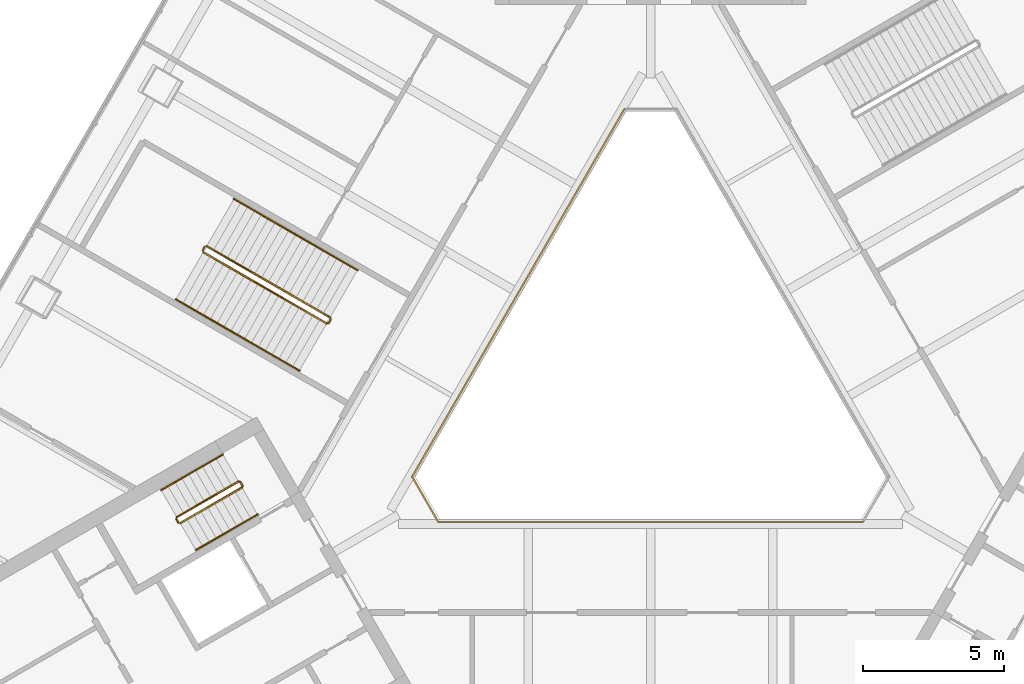
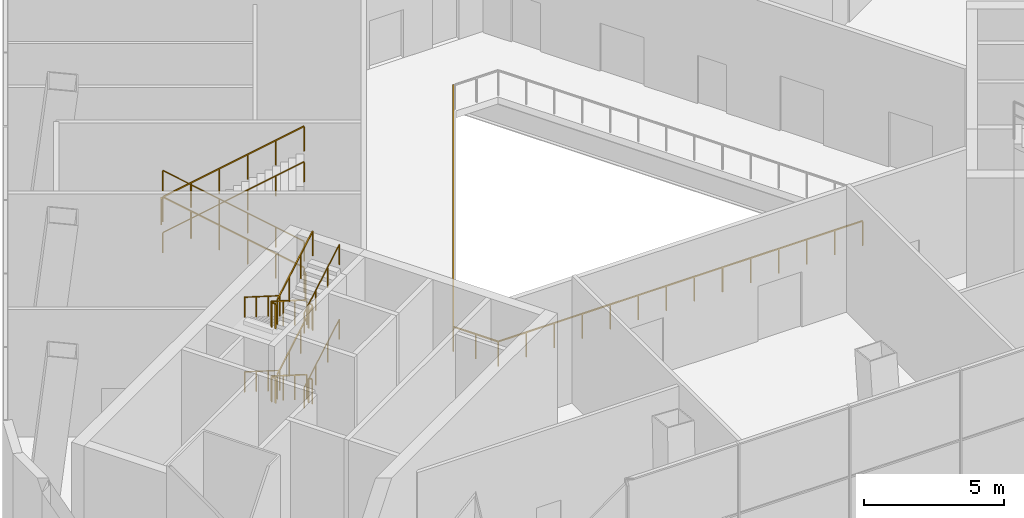
# One storey, part 15 of 17: 19 railings.
"""IFC4 building model written with IfcOpenShell, lengths in metres."""

from ifc_helpers import new_model, si_unit, direction, frame, origin, origin_2d, place, context, subcontext, project, spatial, rectangle, circle, extrude, material, type_object, element, save


model = new_model("IFC4")

# Units and contexts
model_context = context("Model", 3, precision=1e-05, world=origin(), true_north=direction((0.0, 1.0)))
body_context = subcontext(model_context, "Body", "Model", "MODEL_VIEW")
ifc_project = project(units=[si_unit("LENGTHUNIT", "METRE"), si_unit("AREAUNIT", "SQUARE_METRE"), si_unit("VOLUMEUNIT", "CUBIC_METRE"), si_unit("PLANEANGLEUNIT", "RADIAN"), si_unit("MASSUNIT", "GRAM", prefix="KILO")], contexts=[model_context])

# Site, building, storey
site_placement = place(None, origin())
site = spatial("IfcSite", under=ifc_project, at=site_placement, CompositionType="ELEMENT")
building_placement = place(site_placement, origin())
building = spatial("IfcBuilding", under=site, at=building_placement, Name="Apuvela Tower Hotel", CompositionType="ELEMENT")
storey_placement = place(building_placement, frame((0.0, 0.0, 9.0)))
storey = spatial("IfcBuildingStorey", under=building, at=storey_placement, Name="L01", CompositionType="ELEMENT", Elevation=9.0)

# Railings
ifc_material_1 = material(Name="Steel S275 balustrade", Category="steel")
railing_type_1 = type_object("IfcRailingType", Name="COR-GUARD-1100", PredefinedType="GUARDRAIL", material=ifc_material_1)
railing_1_placement = place(storey_placement, frame((-14.569091796875, -3.9658203125, 0.16259765625)))
element("IfcRailing", 1, at=railing_1_placement, inside=storey, type_object=railing_type_1, Name="L01 ST2 stair guard 1", PredefinedType="GUARDRAIL", context=body_context, shape_type="SweptSolid", body=[
    extrude(rectangle(XDim=0.048095703125, YDim=0.048095703125, at=origin_2d()), frame((0.0, 0.0, 1.076171875), z_axis=(-0.749032721991, -0.432459769347, 0.501924824334), x_axis=(0.500004791531, -0.866022637375, 0.0)), (0.0, 0.0, 1.0), 2.91357421875),
    extrude(rectangle(XDim=0.0419921875, YDim=0.0419921875, at=origin_2d()), origin(), (0.0, 0.0, 1.0), 1.052001953125),
    extrude(rectangle(XDim=0.0419921875, YDim=0.0419921875, at=origin_2d()), frame((-0.7275390625, -0.419921875, 0.487548828125)), (0.0, 0.0, 1.0), 1.052001953125),
    extrude(rectangle(XDim=0.0419921875, YDim=0.0419921875, at=origin_2d()), frame((-1.454833984375, -0.840087890625, 0.974853515625)), (0.0, 0.0, 1.0), 1.052001953125),
    extrude(rectangle(XDim=0.0419921875, YDim=0.0419921875, at=origin_2d()), frame((-2.182373046875, -1.260009765625, 1.46240234375)), (0.0, 0.0, 1.0), 1.052001953125),
])
railing_2_placement = place(storey_placement, frame((-16.769775390625, -5.294189453125, 1.625)))
element("IfcRailing", 2, at=railing_2_placement, inside=storey, type_object=railing_type_1, Name="L01 ST2 stair guard 2", PredefinedType="GUARDRAIL", context=body_context, shape_type="SweptSolid", body=[
    extrude(rectangle(XDim=0.048095703125, YDim=0.048095703125, at=origin_2d()), frame((0.0, 0.0, 1.076171875), z_axis=(0.501036270542, -0.865426285481, 0.0), x_axis=(0.865426285481, 0.501036270542, 0.0)), (0.0, 0.0, 1.0), 0.150146484375),
    extrude(rectangle(XDim=0.0419921875, YDim=0.0419921875, at=origin_2d()), origin(), (0.0, 0.0, 1.0), 1.052001953125),
    extrude(rectangle(XDim=0.0419921875, YDim=0.0419921875, at=origin_2d()), frame((0.0751953125, -0.1298828125, 0.0)), (0.0, 0.0, 1.0), 1.052001953125),
])
railing_3_placement = place(storey_placement, frame((-16.62646484375, -5.4423828125, 1.78759765625)))
element("IfcRailing", 3, at=railing_3_placement, inside=storey, type_object=railing_type_1, Name="L01 ST2 stair guard 3", PredefinedType="GUARDRAIL", context=body_context, shape_type="SweptSolid", body=[
    extrude(rectangle(XDim=0.048095703125, YDim=0.048095703125, at=origin_2d()), frame((0.0, 0.0, 1.076171875), z_axis=(0.749032721991, 0.432459769347, 0.501924824334), x_axis=(-0.500004791531, 0.866022637375, 0.0)), (0.0, 0.0, 1.0), 2.91357421875),
    extrude(rectangle(XDim=0.0419921875, YDim=0.0419921875, at=origin_2d()), origin(), (0.0, 0.0, 1.0), 1.052001953125),
    extrude(rectangle(XDim=0.0419921875, YDim=0.0419921875, at=origin_2d()), frame((0.7275390625, 0.419921875, 0.487548828125)), (0.0, 0.0, 1.0), 1.052001953125),
    extrude(rectangle(XDim=0.0419921875, YDim=0.0419921875, at=origin_2d()), frame((1.454833984375, 0.840087890625, 0.974853515625)), (0.0, 0.0, 1.0), 1.052001953125),
    extrude(rectangle(XDim=0.0419921875, YDim=0.0419921875, at=origin_2d()), frame((2.182373046875, 1.260009765625, 1.46240234375)), (0.0, 0.0, 1.0), 1.052001953125),
])
railing_4_placement = place(storey_placement, frame((-14.500732421875, -3.984130859375, 3.25)))
element("IfcRailing", 4, at=railing_4_placement, inside=storey, type_object=railing_type_1, Name="L01 ST2 stair guard 4", PredefinedType="GUARDRAIL", context=body_context, shape_type="SweptSolid", body=[
    extrude(rectangle(XDim=0.048095703125, YDim=0.048095703125, at=origin_2d()), frame((0.0, 0.0, 1.076171875), z_axis=(0.499816412211, -0.866131372301, 0.0), x_axis=(0.866131372301, 0.499816412211, 0.0)), (0.0, 0.0, 1.0), 0.14990234375),
    extrude(rectangle(XDim=0.0419921875, YDim=0.0419921875, at=origin_2d()), origin(), (0.0, 0.0, 1.0), 1.052001953125),
    extrude(rectangle(XDim=0.0419921875, YDim=0.0419921875, at=origin_2d()), frame((0.074951171875, -0.1298828125, 0.0)), (0.0, 0.0, 1.0), 1.052001953125),
])
railing_5_placement = place(storey_placement, frame((-14.569091796875, -3.9658203125, 3.41259765625)))
element("IfcRailing", 5, at=railing_5_placement, inside=storey, type_object=railing_type_1, Name="L01 ST2 stair guard 5", PredefinedType="GUARDRAIL", context=body_context, shape_type="SweptSolid", body=[
    extrude(rectangle(XDim=0.048095703125, YDim=0.048095703125, at=origin_2d()), frame((0.0, 0.0, 1.076171875), z_axis=(-0.749032721991, -0.432459769347, 0.501924824334), x_axis=(0.500004791531, -0.866022637375, 0.0)), (0.0, 0.0, 1.0), 2.91357421875),
    extrude(rectangle(XDim=0.0419921875, YDim=0.0419921875, at=origin_2d()), origin(), (0.0, 0.0, 1.0), 1.052001953125),
    extrude(rectangle(XDim=0.0419921875, YDim=0.0419921875, at=origin_2d()), frame((-0.7275390625, -0.419921875, 0.487548828125)), (0.0, 0.0, 1.0), 1.052001953125),
    extrude(rectangle(XDim=0.0419921875, YDim=0.0419921875, at=origin_2d()), frame((-1.454833984375, -0.840087890625, 0.974853515625)), (0.0, 0.0, 1.0), 1.052001953125),
    extrude(rectangle(XDim=0.0419921875, YDim=0.0419921875, at=origin_2d()), frame((-2.182373046875, -1.260009765625, 1.46240234375)), (0.0, 0.0, 1.0), 1.052001953125),
])
railing_6_placement = place(storey_placement, frame((-16.769775390625, -5.294189453125, 4.875)))
element("IfcRailing", 6, at=railing_6_placement, inside=storey, type_object=railing_type_1, Name="L01 ST2 stair guard 6", PredefinedType="GUARDRAIL", context=body_context, shape_type="SweptSolid", body=[
    extrude(rectangle(XDim=0.048095703125, YDim=0.048095703125, at=origin_2d()), frame((0.0, 0.0, 1.076171875), z_axis=(0.501036270542, -0.865426285481, 0.0), x_axis=(0.865426285481, 0.501036270542, 0.0)), (0.0, 0.0, 1.0), 0.150146484375),
    extrude(rectangle(XDim=0.0419921875, YDim=0.0419921875, at=origin_2d()), origin(), (0.0, 0.0, 1.0), 1.052001953125),
    extrude(rectangle(XDim=0.0419921875, YDim=0.0419921875, at=origin_2d()), frame((0.0751953125, -0.1298828125, 0.0)), (0.0, 0.0, 1.0), 1.052001953125),
])
railing_7_placement = place(storey_placement, frame((-16.62646484375, -5.4423828125, 5.03759765625)))
element("IfcRailing", 7, at=railing_7_placement, inside=storey, type_object=railing_type_1, Name="L01 ST2 stair guard 7", PredefinedType="GUARDRAIL", context=body_context, shape_type="SweptSolid", body=[
    extrude(rectangle(XDim=0.048095703125, YDim=0.048095703125, at=origin_2d()), frame((0.0, 0.0, 1.076171875), z_axis=(0.749032721991, 0.432459769347, 0.501924824334), x_axis=(-0.500004791531, 0.866022637375, 0.0)), (0.0, 0.0, 1.0), 2.91357421875),
    extrude(rectangle(XDim=0.0419921875, YDim=0.0419921875, at=origin_2d()), origin(), (0.0, 0.0, 1.0), 1.052001953125),
    extrude(rectangle(XDim=0.0419921875, YDim=0.0419921875, at=origin_2d()), frame((0.7275390625, 0.419921875, 0.487548828125)), (0.0, 0.0, 1.0), 1.052001953125),
    extrude(rectangle(XDim=0.0419921875, YDim=0.0419921875, at=origin_2d()), frame((1.454833984375, 0.840087890625, 0.974853515625)), (0.0, 0.0, 1.0), 1.052001953125),
    extrude(rectangle(XDim=0.0419921875, YDim=0.0419921875, at=origin_2d()), frame((2.182373046875, 1.260009765625, 1.46240234375)), (0.0, 0.0, 1.0), 1.052001953125),
])
railing_8_placement = place(storey_placement, frame((-14.500732421875, -3.984130859375, 0.0)))
element("IfcRailing", 8, at=railing_8_placement, inside=storey, type_object=railing_type_1, Name="L01 ST2 stair guard 8", PredefinedType="GUARDRAIL", context=body_context, shape_type="SweptSolid", body=[
    extrude(rectangle(XDim=0.048095703125, YDim=0.048095703125, at=origin_2d()), frame((0.0, 0.0, 1.076171875), z_axis=(0.499816412211, -0.866131372301, 0.0), x_axis=(0.866131372301, 0.499816412211, 0.0)), (0.0, 0.0, 1.0), 0.14990234375),
    extrude(rectangle(XDim=0.0419921875, YDim=0.0419921875, at=origin_2d()), origin(), (0.0, 0.0, 1.0), 1.052001953125),
    extrude(rectangle(XDim=0.0419921875, YDim=0.0419921875, at=origin_2d()), frame((0.074951171875, -0.1298828125, 0.0)), (0.0, 0.0, 1.0), 1.052001953125),
])
ifc_material_2 = material(Name="Stainless steel 316 handrail", Category="steel")
railing_type_2 = type_object("IfcRailingType", Name="COR-HANDRAIL-900", PredefinedType="HANDRAIL", material=ifc_material_2)
railing_9_placement = place(storey_placement, frame((-15.118896484375, -3.01318359375, 0.16259765625)))
element("IfcRailing", 9, at=railing_9_placement, inside=storey, type_object=railing_type_2, Name="L01 ST2 stair handrail 1", PredefinedType="HANDRAIL", context=body_context, shape_type="SweptSolid", body=[
    extrude(circle(Radius=0.02392578125, at=origin_2d()), frame((0.0, 0.0, 0.8759765625), z_axis=(-0.749032721991, -0.432459769347, 0.501924824334), x_axis=(0.500004791531, -0.866022637375, 0.0)), (0.0, 0.0, 1.0), 2.91357421875),
    extrude(rectangle(XDim=0.0419921875, YDim=0.0419921875, at=origin_2d()), origin(), (0.0, 0.0, 1.0), 0.851806640625),
    extrude(rectangle(XDim=0.0419921875, YDim=0.0419921875, at=origin_2d()), frame((-0.7275390625, -0.419921875, 0.487548828125)), (0.0, 0.0, 1.0), 0.851806640625),
    extrude(rectangle(XDim=0.0419921875, YDim=0.0419921875, at=origin_2d()), frame((-1.454833984375, -0.840087890625, 0.974853515625)), (0.0, 0.0, 1.0), 0.851806640625),
    extrude(rectangle(XDim=0.0419921875, YDim=0.0419921875, at=origin_2d()), frame((-2.182373046875, -1.260009765625, 1.46240234375)), (0.0, 0.0, 1.0), 0.851806640625),
])
railing_10_placement = place(storey_placement, frame((-16.076416015625, -6.39501953125, 1.78759765625)))
element("IfcRailing", 10, at=railing_10_placement, inside=storey, type_object=railing_type_2, Name="L01 ST2 stair handrail 2", PredefinedType="HANDRAIL", context=body_context, shape_type="SweptSolid", body=[
    extrude(circle(Radius=0.02392578125, at=origin_2d()), frame((0.0, 0.0, 0.8759765625), z_axis=(0.749032721991, 0.432459769347, 0.501924824334), x_axis=(-0.500004791531, 0.866022637375, 0.0)), (0.0, 0.0, 1.0), 2.91357421875),
    extrude(rectangle(XDim=0.0419921875, YDim=0.0419921875, at=origin_2d()), origin(), (0.0, 0.0, 1.0), 0.851806640625),
    extrude(rectangle(XDim=0.0419921875, YDim=0.0419921875, at=origin_2d()), frame((0.7275390625, 0.419921875, 0.487548828125)), (0.0, 0.0, 1.0), 0.851806640625),
    extrude(rectangle(XDim=0.0419921875, YDim=0.0419921875, at=origin_2d()), frame((1.454833984375, 0.840087890625, 0.974853515625)), (0.0, 0.0, 1.0), 0.851806640625),
    extrude(rectangle(XDim=0.0419921875, YDim=0.0419921875, at=origin_2d()), frame((2.182373046875, 1.260009765625, 1.46240234375)), (0.0, 0.0, 1.0), 0.851806640625),
])
railing_11_placement = place(storey_placement, frame((-15.118896484375, -3.01318359375, 3.41259765625)))
element("IfcRailing", 11, at=railing_11_placement, inside=storey, type_object=railing_type_2, Name="L01 ST2 stair handrail 3", PredefinedType="HANDRAIL", context=body_context, shape_type="SweptSolid", body=[
    extrude(circle(Radius=0.02392578125, at=origin_2d()), frame((0.0, 0.0, 0.8759765625), z_axis=(-0.749032721991, -0.432459769347, 0.501924824334), x_axis=(0.500004791531, -0.866022637375, 0.0)), (0.0, 0.0, 1.0), 2.91357421875),
    extrude(rectangle(XDim=0.0419921875, YDim=0.0419921875, at=origin_2d()), origin(), (0.0, 0.0, 1.0), 0.851806640625),
    extrude(rectangle(XDim=0.0419921875, YDim=0.0419921875, at=origin_2d()), frame((-0.7275390625, -0.419921875, 0.487548828125)), (0.0, 0.0, 1.0), 0.851806640625),
    extrude(rectangle(XDim=0.0419921875, YDim=0.0419921875, at=origin_2d()), frame((-1.454833984375, -0.840087890625, 0.974853515625)), (0.0, 0.0, 1.0), 0.851806640625),
    extrude(rectangle(XDim=0.0419921875, YDim=0.0419921875, at=origin_2d()), frame((-2.182373046875, -1.260009765625, 1.46240234375)), (0.0, 0.0, 1.0), 0.851806640625),
])
railing_12_placement = place(storey_placement, frame((-16.076416015625, -6.39501953125, 5.03759765625)))
element("IfcRailing", 12, at=railing_12_placement, inside=storey, type_object=railing_type_2, Name="L01 ST2 stair handrail 4", PredefinedType="HANDRAIL", context=body_context, shape_type="SweptSolid", body=[
    extrude(circle(Radius=0.02392578125, at=origin_2d()), frame((0.0, 0.0, 0.8759765625), z_axis=(0.749032721991, 0.432459769347, 0.501924824334), x_axis=(-0.500004791531, 0.866022637375, 0.0)), (0.0, 0.0, 1.0), 2.91357421875),
    extrude(rectangle(XDim=0.0419921875, YDim=0.0419921875, at=origin_2d()), origin(), (0.0, 0.0, 1.0), 0.851806640625),
    extrude(rectangle(XDim=0.0419921875, YDim=0.0419921875, at=origin_2d()), frame((0.7275390625, 0.419921875, 0.487548828125)), (0.0, 0.0, 1.0), 0.851806640625),
    extrude(rectangle(XDim=0.0419921875, YDim=0.0419921875, at=origin_2d()), frame((1.454833984375, 0.840087890625, 0.974853515625)), (0.0, 0.0, 1.0), 0.851806640625),
    extrude(rectangle(XDim=0.0419921875, YDim=0.0419921875, at=origin_2d()), frame((2.182373046875, 1.260009765625, 1.46240234375)), (0.0, 0.0, 1.0), 0.851806640625),
])
ifc_material_3 = material(Name="Stainless steel 316 rail with laminated glass infill", Category="steel")
railing_type_3 = type_object("IfcRailingType", Name="ENV-GUARD-1100", PredefinedType="GUARDRAIL", material=ifc_material_3)
railing_13_placement = place(storey_placement, frame((-0.923828125, 9.199951171875, 0.0)))
element("IfcRailing", 13, at=railing_13_placement, inside=storey, type_object=railing_type_3, Name="Atrium void guard A L01", PredefinedType="GUARDRAIL", context=body_context, shape_type="SweptSolid", body=[
    extrude(rectangle(XDim=0.050048828125, YDim=0.050048828125, at=origin_2d()), frame((0.0, 0.0, 1.0751953125), z_axis=(-0.499990886379, -0.866030665472, 0.0), x_axis=(0.866030665472, -0.499990886379, 0.0)), (0.0, 0.0, 1.0), 15.010986328125),
    extrude(rectangle(XDim=0.050048828125, YDim=0.050048828125, at=origin_2d()), frame((-7.50537109375, -13.0, 1.0751953125), z_axis=(0.499962699187, -0.866046938348, 0.0), x_axis=(0.866046938348, 0.499962699187, 0.0)), (0.0, 0.0, 1.0), 1.847412109375),
    extrude(rectangle(XDim=0.050048828125, YDim=0.050048828125, at=origin_2d()), frame((-6.581787109375, -14.599853515625, 1.0751953125), z_axis=(1.0, 0.0, 0.0), x_axis=(0.0, 1.0, 0.0)), (0.0, 0.0, 1.0), 15.01123046875),
    extrude(rectangle(XDim=0.0400390625, YDim=0.0400390625, at=origin_2d()), origin(), (0.0, 0.0, 1.0), 1.050048828125),
    extrude(rectangle(XDim=0.0400390625, YDim=0.0400390625, at=origin_2d()), frame((-0.577392578125, -1.0, 0.0)), (0.0, 0.0, 1.0), 1.050048828125),
    extrude(rectangle(XDim=0.0400390625, YDim=0.0400390625, at=origin_2d()), frame((-1.15478515625, -2.0, 0.0)), (0.0, 0.0, 1.0), 1.050048828125),
    extrude(rectangle(XDim=0.0400390625, YDim=0.0400390625, at=origin_2d()), frame((-1.73193359375, -3.0, 0.0)), (0.0, 0.0, 1.0), 1.050048828125),
    extrude(rectangle(XDim=0.0400390625, YDim=0.0400390625, at=origin_2d()), frame((-2.309326171875, -4.0, 0.0)), (0.0, 0.0, 1.0), 1.050048828125),
    extrude(rectangle(XDim=0.0400390625, YDim=0.0400390625, at=origin_2d()), frame((-2.88671875, -5.0, 0.0)), (0.0, 0.0, 1.0), 1.050048828125),
    extrude(rectangle(XDim=0.0400390625, YDim=0.0400390625, at=origin_2d()), frame((-3.464111328125, -6.0, 0.0)), (0.0, 0.0, 1.0), 1.050048828125),
    extrude(rectangle(XDim=0.0400390625, YDim=0.0400390625, at=origin_2d()), frame((-4.041259765625, -7.0, 0.0)), (0.0, 0.0, 1.0), 1.050048828125),
    extrude(rectangle(XDim=0.0400390625, YDim=0.0400390625, at=origin_2d()), frame((-4.61865234375, -8.0, 0.0)), (0.0, 0.0, 1.0), 1.050048828125),
    extrude(rectangle(XDim=0.0400390625, YDim=0.0400390625, at=origin_2d()), frame((-5.196044921875, -9.0, 0.0)), (0.0, 0.0, 1.0), 1.050048828125),
    extrude(rectangle(XDim=0.0400390625, YDim=0.0400390625, at=origin_2d()), frame((-5.7734375, -10.0, 0.0)), (0.0, 0.0, 1.0), 1.050048828125),
    extrude(rectangle(XDim=0.0400390625, YDim=0.0400390625, at=origin_2d()), frame((-6.3505859375, -11.0, 0.0)), (0.0, 0.0, 1.0), 1.050048828125),
    extrude(rectangle(XDim=0.0400390625, YDim=0.0400390625, at=origin_2d()), frame((-6.927978515625, -12.0, 0.0)), (0.0, 0.0, 1.0), 1.050048828125),
    extrude(rectangle(XDim=0.0400390625, YDim=0.0400390625, at=origin_2d()), frame((-7.50537109375, -13.0, 0.0)), (0.0, 0.0, 1.0), 1.050048828125),
    extrude(rectangle(XDim=0.0400390625, YDim=0.0400390625, at=origin_2d()), frame((-7.04345703125, -13.7998046875, 0.0)), (0.0, 0.0, 1.0), 1.050048828125),
    extrude(rectangle(XDim=0.0400390625, YDim=0.0400390625, at=origin_2d()), frame((-6.581787109375, -14.599853515625, 0.0)), (0.0, 0.0, 1.0), 1.050048828125),
    extrude(rectangle(XDim=0.0400390625, YDim=0.0400390625, at=origin_2d()), frame((-5.427001953125, -14.599853515625, 0.0)), (0.0, 0.0, 1.0), 1.050048828125),
    extrude(rectangle(XDim=0.0400390625, YDim=0.0400390625, at=origin_2d()), frame((-4.2724609375, -14.599853515625, 0.0)), (0.0, 0.0, 1.0), 1.050048828125),
    extrude(rectangle(XDim=0.0400390625, YDim=0.0400390625, at=origin_2d()), frame((-3.11767578125, -14.599853515625, 0.0)), (0.0, 0.0, 1.0), 1.050048828125),
    extrude(rectangle(XDim=0.0400390625, YDim=0.0400390625, at=origin_2d()), frame((-1.962890625, -14.599853515625, 0.0)), (0.0, 0.0, 1.0), 1.050048828125),
    extrude(rectangle(XDim=0.0400390625, YDim=0.0400390625, at=origin_2d()), frame((-0.808349609375, -14.599853515625, 0.0)), (0.0, 0.0, 1.0), 1.050048828125),
    extrude(rectangle(XDim=0.0400390625, YDim=0.0400390625, at=origin_2d()), frame((0.346435546875, -14.599853515625, 0.0)), (0.0, 0.0, 1.0), 1.050048828125),
    extrude(rectangle(XDim=0.0400390625, YDim=0.0400390625, at=origin_2d()), frame((1.501220703125, -14.599853515625, 0.0)), (0.0, 0.0, 1.0), 1.050048828125),
    extrude(rectangle(XDim=0.0400390625, YDim=0.0400390625, at=origin_2d()), frame((2.656005859375, -14.599853515625, 0.0)), (0.0, 0.0, 1.0), 1.050048828125),
    extrude(rectangle(XDim=0.0400390625, YDim=0.0400390625, at=origin_2d()), frame((3.810546875, -14.599853515625, 0.0)), (0.0, 0.0, 1.0), 1.050048828125),
    extrude(rectangle(XDim=0.0400390625, YDim=0.0400390625, at=origin_2d()), frame((4.96533203125, -14.599853515625, 0.0)), (0.0, 0.0, 1.0), 1.050048828125),
    extrude(rectangle(XDim=0.0400390625, YDim=0.0400390625, at=origin_2d()), frame((6.1201171875, -14.599853515625, 0.0)), (0.0, 0.0, 1.0), 1.050048828125),
    extrude(rectangle(XDim=0.0400390625, YDim=0.0400390625, at=origin_2d()), frame((7.274658203125, -14.599853515625, 0.0)), (0.0, 0.0, 1.0), 1.050048828125),
    extrude(rectangle(XDim=0.0400390625, YDim=0.0400390625, at=origin_2d()), frame((8.429443359375, -14.599853515625, 0.0)), (0.0, 0.0, 1.0), 1.050048828125),
])
ifc_material_4 = material(Name="Steel S355 guard with laminated glass infill", Category="steel")
railing_type_4 = type_object("IfcRailingType", Name="SPC-GUARD-1100", PredefinedType="GUARDRAIL", material=ifc_material_4)
railing_14_placement = place(storey_placement, frame((-11.32568359375, 1.83349609375, 0.171142578125)))
element("IfcRailing", 14, at=railing_14_placement, inside=storey, type_object=railing_type_4, Name="L01 PS2 stair guard 1", PredefinedType="GUARDRAIL", context=body_context, shape_type="SweptSolid", body=[
    extrude(rectangle(XDim=0.048095703125, YDim=0.048095703125, at=origin_2d()), frame((0.0, 0.0, 1.076171875), z_axis=(-0.739035552181, 0.426687826916, 0.521309841624), x_axis=(-0.500004791531, -0.866022637375, 0.0)), (0.0, 0.0, 1.0), 5.906005859375),
    extrude(rectangle(XDim=0.0419921875, YDim=0.0419921875, at=origin_2d()), origin(), (0.0, 0.0, 1.0), 1.052001953125),
    extrude(rectangle(XDim=0.0419921875, YDim=0.0419921875, at=origin_2d()), frame((-0.873046875, 0.50390625, 0.61572265625)), (0.0, 0.0, 1.0), 1.052001953125),
    extrude(rectangle(XDim=0.0419921875, YDim=0.0419921875, at=origin_2d()), frame((-1.745849609375, 1.008056640625, 1.2314453125)), (0.0, 0.0, 1.0), 1.052001953125),
    extrude(rectangle(XDim=0.0419921875, YDim=0.0419921875, at=origin_2d()), frame((-2.618896484375, 1.511962890625, 1.847412109375)), (0.0, 0.0, 1.0), 1.052001953125),
    extrude(rectangle(XDim=0.0419921875, YDim=0.0419921875, at=origin_2d()), frame((-3.49169921875, 2.01611328125, 2.463134765625)), (0.0, 0.0, 1.0), 1.052001953125),
    extrude(rectangle(XDim=0.0419921875, YDim=0.0419921875, at=origin_2d()), frame((-4.36474609375, 2.52001953125, 3.078857421875)), (0.0, 0.0, 1.0), 1.052001953125),
])
railing_15_placement = place(storey_placement, frame((-15.7587890625, 4.335205078125, 3.25)))
element("IfcRailing", 15, at=railing_15_placement, inside=storey, type_object=railing_type_4, Name="L01 PS2 stair guard 2", PredefinedType="GUARDRAIL", context=body_context, shape_type="SweptSolid", body=[
    extrude(rectangle(XDim=0.048095703125, YDim=0.048095703125, at=origin_2d()), frame((0.0, 0.0, 1.076171875), z_axis=(-0.499816412211, -0.866131372301, 0.0), x_axis=(0.866131372301, -0.499816412211, 0.0)), (0.0, 0.0, 1.0), 0.14990234375),
    extrude(rectangle(XDim=0.0419921875, YDim=0.0419921875, at=origin_2d()), origin(), (0.0, 0.0, 1.0), 1.052001953125),
    extrude(rectangle(XDim=0.0419921875, YDim=0.0419921875, at=origin_2d()), frame((-0.074951171875, -0.1298828125, 0.0)), (0.0, 0.0, 1.0), 1.052001953125),
])
railing_16_placement = place(storey_placement, frame((-15.8154296875, 4.136962890625, 3.421142578125)))
element("IfcRailing", 16, at=railing_16_placement, inside=storey, type_object=railing_type_4, Name="L01 PS2 stair guard 3", PredefinedType="GUARDRAIL", context=body_context, shape_type="SweptSolid", body=[
    extrude(rectangle(XDim=0.048095703125, YDim=0.048095703125, at=origin_2d()), frame((0.0, 0.0, 1.076171875), z_axis=(0.739035552181, -0.426687826916, 0.521309841624), x_axis=(0.500004791531, 0.866022637375, 0.0)), (0.0, 0.0, 1.0), 5.906005859375),
    extrude(rectangle(XDim=0.0419921875, YDim=0.0419921875, at=origin_2d()), origin(), (0.0, 0.0, 1.0), 1.052001953125),
    extrude(rectangle(XDim=0.0419921875, YDim=0.0419921875, at=origin_2d()), frame((0.873046875, -0.50390625, 0.61572265625)), (0.0, 0.0, 1.0), 1.052001953125),
    extrude(rectangle(XDim=0.0419921875, YDim=0.0419921875, at=origin_2d()), frame((1.745849609375, -1.008056640625, 1.2314453125)), (0.0, 0.0, 1.0), 1.052001953125),
    extrude(rectangle(XDim=0.0419921875, YDim=0.0419921875, at=origin_2d()), frame((2.618896484375, -1.511962890625, 1.847412109375)), (0.0, 0.0, 1.0), 1.052001953125),
    extrude(rectangle(XDim=0.0419921875, YDim=0.0419921875, at=origin_2d()), frame((3.49169921875, -2.01611328125, 2.463134765625)), (0.0, 0.0, 1.0), 1.052001953125),
    extrude(rectangle(XDim=0.0419921875, YDim=0.0419921875, at=origin_2d()), frame((4.36474609375, -2.52001953125, 3.078857421875)), (0.0, 0.0, 1.0), 1.052001953125),
])
railing_17_placement = place(storey_placement, frame((-11.307373046875, 1.76513671875, 0.0)))
element("IfcRailing", 17, at=railing_17_placement, inside=storey, type_object=railing_type_4, Name="L01 PS2 stair guard 4", PredefinedType="GUARDRAIL", context=body_context, shape_type="SweptSolid", body=[
    extrude(rectangle(XDim=0.048095703125, YDim=0.048095703125, at=origin_2d()), frame((0.0, 0.0, 1.076171875), z_axis=(-0.499816412211, -0.866131372301, 0.0), x_axis=(0.866131372301, -0.499816412211, 0.0)), (0.0, 0.0, 1.0), 0.14990234375),
    extrude(rectangle(XDim=0.0419921875, YDim=0.0419921875, at=origin_2d()), origin(), (0.0, 0.0, 1.0), 1.052001953125),
    extrude(rectangle(XDim=0.0419921875, YDim=0.0419921875, at=origin_2d()), frame((-0.074951171875, -0.1298828125, 0.0)), (0.0, 0.0, 1.0), 1.052001953125),
])
ifc_material_5 = material(Name="Steel S355 tube handrail", Category="steel")
railing_type_5 = type_object("IfcRailingType", Name="SPC-HANDRAIL-900", PredefinedType="HANDRAIL", material=ifc_material_5)
railing_18_placement = place(storey_placement, frame((-10.363037109375, 3.50048828125, 0.171142578125)))
element("IfcRailing", 18, at=railing_18_placement, inside=storey, type_object=railing_type_5, Name="L01 PS2 stair handrail 1", PredefinedType="HANDRAIL", context=body_context, shape_type="SweptSolid", body=[
    extrude(circle(Radius=0.02392578125, at=origin_2d()), frame((0.0, 0.0, 0.8759765625), z_axis=(-0.739035552181, 0.426687826916, 0.521309841624), x_axis=(-0.500004791531, -0.866022637375, 0.0)), (0.0, 0.0, 1.0), 5.906005859375),
    extrude(rectangle(XDim=0.0419921875, YDim=0.0419921875, at=origin_2d()), origin(), (0.0, 0.0, 1.0), 0.851806640625),
    extrude(rectangle(XDim=0.0419921875, YDim=0.0419921875, at=origin_2d()), frame((-0.873046875, 0.50390625, 0.61572265625)), (0.0, 0.0, 1.0), 0.851806640625),
    extrude(rectangle(XDim=0.0419921875, YDim=0.0419921875, at=origin_2d()), frame((-1.745849609375, 1.008056640625, 1.2314453125)), (0.0, 0.0, 1.0), 0.851806640625),
    extrude(rectangle(XDim=0.0419921875, YDim=0.0419921875, at=origin_2d()), frame((-2.618896484375, 1.511962890625, 1.847412109375)), (0.0, 0.0, 1.0), 0.851806640625),
    extrude(rectangle(XDim=0.0419921875, YDim=0.0419921875, at=origin_2d()), frame((-3.49169921875, 2.01611328125, 2.463134765625)), (0.0, 0.0, 1.0), 0.851806640625),
    extrude(rectangle(XDim=0.0419921875, YDim=0.0419921875, at=origin_2d()), frame((-4.36474609375, 2.52001953125, 3.078857421875)), (0.0, 0.0, 1.0), 0.851806640625),
])
railing_19_placement = place(storey_placement, frame((-16.77783203125, 2.4697265625, 3.421142578125)))
element("IfcRailing", 19, at=railing_19_placement, inside=storey, type_object=railing_type_5, Name="L01 PS2 stair handrail 2", PredefinedType="HANDRAIL", context=body_context, shape_type="SweptSolid", body=[
    extrude(circle(Radius=0.02392578125, at=origin_2d()), frame((0.0, 0.0, 0.8759765625), z_axis=(0.739048587223, -0.42665401436, 0.52131903644), x_axis=(0.499968459926, 0.866043612689, 0.0)), (0.0, 0.0, 1.0), 5.906005859375),
    extrude(rectangle(XDim=0.0419921875, YDim=0.0419921875, at=origin_2d()), origin(), (0.0, 0.0, 1.0), 0.851806640625),
    extrude(rectangle(XDim=0.0419921875, YDim=0.0419921875, at=origin_2d()), frame((0.873046875, -0.50390625, 0.61572265625)), (0.0, 0.0, 1.0), 0.851806640625),
    extrude(rectangle(XDim=0.0419921875, YDim=0.0419921875, at=origin_2d()), frame((1.745849609375, -1.0078125, 1.2314453125)), (0.0, 0.0, 1.0), 0.851806640625),
    extrude(rectangle(XDim=0.0419921875, YDim=0.0419921875, at=origin_2d()), frame((2.618896484375, -1.511962890625, 1.847412109375)), (0.0, 0.0, 1.0), 0.851806640625),
    extrude(rectangle(XDim=0.0419921875, YDim=0.0419921875, at=origin_2d()), frame((3.49169921875, -2.015869140625, 2.463134765625)), (0.0, 0.0, 1.0), 0.851806640625),
    extrude(rectangle(XDim=0.0419921875, YDim=0.0419921875, at=origin_2d()), frame((4.36474609375, -2.519775390625, 3.078857421875)), (0.0, 0.0, 1.0), 0.851806640625),
])

save(model, "model.ifc")
